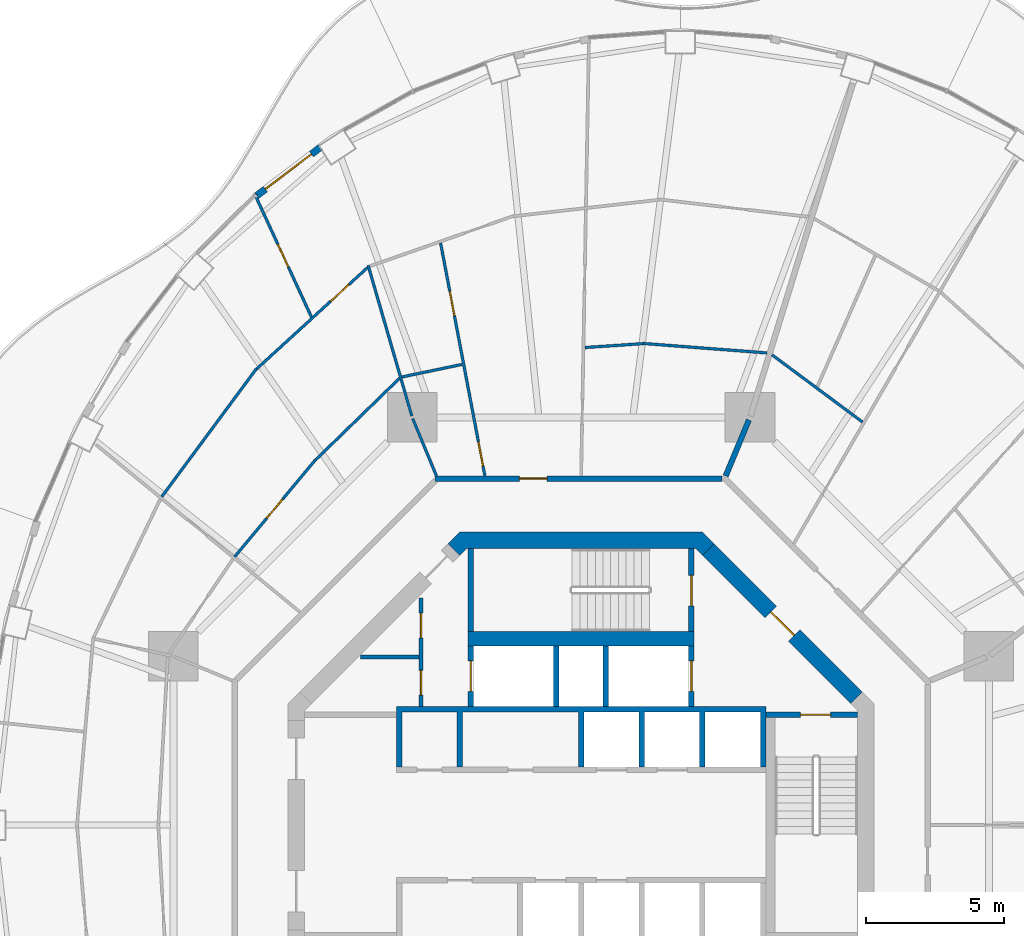
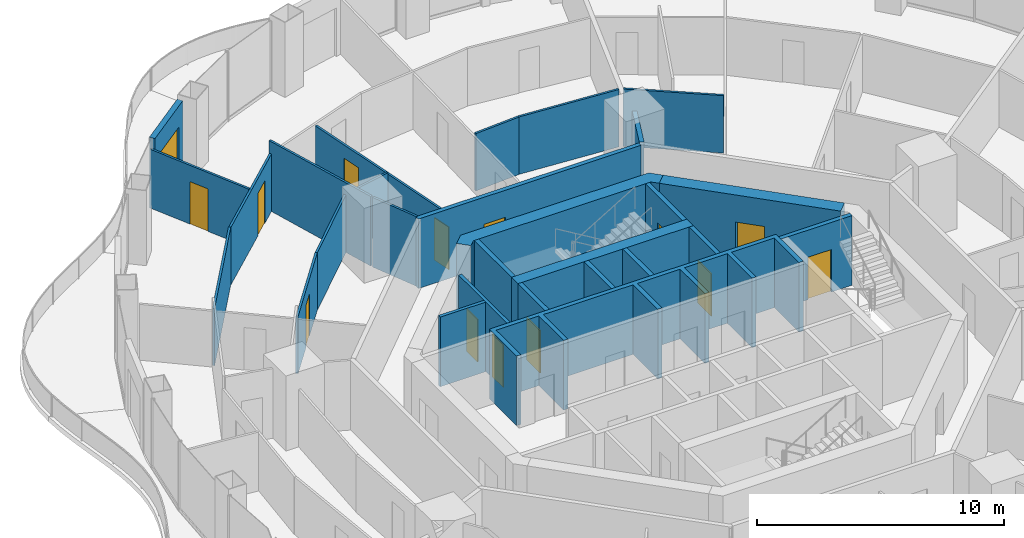
# One storey, part 14 of 19: 28 walls, 14 doors, 14 openings.
"""IFC4 building model written with IfcOpenShell, lengths in metres."""

import ifcopenshell
import ifcopenshell.guid

model = None  # the IFC model being written
_history = None  # IfcOwnerHistory: only IFC2X3 demands one
_inside = {}  # id of a spatial element -> (the spatial element, [elements in it])
_under = {}  # id of a project, library or spatial element -> (it, [spatial elements below it])
_declared = {}  # id of a project -> (the project, [libraries it declares])
_typed = {}  # id of a type object -> (the type object, [elements of that type])
_made_of = {}  # id of a material, layer set ... -> (it, [elements and type objects made of it])


def new_model(schema):
    """Start an empty IFC model of exactly this schema.

    Asked for "IFC4X3", IfcOpenShell would pick the latest addendum, in which some entities
    have other attributes; the version numbers below select the first issue.
    IFC2X3 requires an IfcOwnerHistory on every rooted entity: one is made here for all.
    """
    global model, _history
    if schema == "IFC4X3":
        model = ifcopenshell.file(schema_version=(4, 3, 0, 0))
    else:
        model = ifcopenshell.file(schema=schema)
    _inside.clear()
    _under.clear()
    _declared.clear()
    _typed.clear()
    _made_of.clear()
    _history = None
    if model.schema == "IFC2X3":
        org = make("IfcOrganization", Name="unknown")
        user = make(
            "IfcPersonAndOrganization",
            ThePerson=make("IfcPerson", FamilyName="unknown"),
            TheOrganization=org,
        )
        app = make(
            "IfcApplication",
            ApplicationDeveloper=org,
            Version="unknown",
            ApplicationFullName="unknown",
            ApplicationIdentifier="unknown",
        )
        _history = make(
            "IfcOwnerHistory",
            OwningUser=user,
            OwningApplication=app,
            ChangeAction="ADDED",
            CreationDate=0,
        )
    return model


def make(cls, **values):
    """One entity of the class cls with the attributes given. An attribute that is None is left unset."""
    return model.create_entity(
        cls, **{name: value for name, value in values.items() if value is not None}
    )


def rooted(cls, **values):
    """An entity with a GlobalId (a new one), such as an element, a storey or a relation."""
    return make(cls, GlobalId=ifcopenshell.guid.new(), OwnerHistory=_history, **values)


def si_unit(unit_type, name, prefix=None):
    """IfcSIUnit, for example si_unit("LENGTHUNIT", "METRE", prefix="MILLI")."""
    return make("IfcSIUnit", UnitType=unit_type, Prefix=prefix, Name=name)


def assignment(units):
    """IfcUnitAssignment: the units of a project."""
    return None if units is None else make("IfcUnitAssignment", Units=units)


def point(xyz):
    """IfcCartesianPoint."""
    return None if xyz is None else make("IfcCartesianPoint", Coordinates=xyz)


def direction(xyz):
    """IfcDirection."""
    return None if xyz is None else make("IfcDirection", DirectionRatios=xyz)


def frame(location, z_axis=None, x_axis=None):
    """IfcAxis2Placement3D, a coordinate frame: its origin and axes. An axis left out is left unset."""
    return make(
        "IfcAxis2Placement3D",
        Location=point(location),
        Axis=direction(z_axis),
        RefDirection=direction(x_axis),
    )


def frame_2d(location, x_axis=None):
    """IfcAxis2Placement2D, a coordinate frame in the plane: its origin and x axis."""
    return make(
        "IfcAxis2Placement2D", Location=point(location), RefDirection=direction(x_axis)
    )


def origin():
    """The frame at (0, 0, 0) with its axes left unset."""
    return frame((0.0, 0.0, 0.0))


def place(relative_to, where):
    """IfcLocalPlacement: puts the frame where relative to a parent placement (None: the world)."""
    return make(
        "IfcLocalPlacement", PlacementRelTo=relative_to, RelativePlacement=where
    )


def context(
    kind, dimensions, precision=None, world=None, true_north=None, identifier=None
):
    """IfcGeometricRepresentationContext, for example the 3D "Model" context."""
    return make(
        "IfcGeometricRepresentationContext",
        ContextIdentifier=identifier,
        ContextType=kind,
        CoordinateSpaceDimension=dimensions,
        Precision=precision,
        WorldCoordinateSystem=world,
        TrueNorth=true_north,
    )


def subcontext(parent, identifier, kind, view, scale=None):
    """IfcGeometricRepresentationSubContext, for example "Body" below "Model"."""
    return make(
        "IfcGeometricRepresentationSubContext",
        ContextIdentifier=identifier,
        ContextType=kind,
        ParentContext=parent,
        TargetScale=scale,
        TargetView=view,
    )


def project(units=None, contexts=None):
    """IfcProject with its units and contexts."""
    return rooted(
        "IfcProject",
        Name="project",
        RepresentationContexts=contexts,
        UnitsInContext=assignment(units),
    )


def spatial(cls, under=None, at=None, **own):
    """A site, building, storey or space (cls), placed at a placement, below another one or the project."""
    s = rooted(cls, ObjectPlacement=at, **own)
    if under is not None:
        _under.setdefault(under.id(), (under, []))[1].append(s)
    return s


def polyline(points):
    """IfcPolyline through the points."""
    return make("IfcPolyline", Points=[point(p) for p in points])


def profile(cls, at=None, kind="AREA", **sizes):
    """A parametric profile (cls). Its sizes go by their IFC names, for example OverallWidth=200.0."""
    return make(cls, ProfileType=kind, Position=at, **sizes)


def rectangle(**sizes):
    """IfcRectangleProfileDef."""
    return profile("IfcRectangleProfileDef", **sizes)


def outline(outer, holes=None, kind="AREA"):
    """IfcArbitraryClosedProfileDef: a profile drawn as a closed curve; with holes, ...WithVoids."""
    if holes is None:
        return make("IfcArbitraryClosedProfileDef", ProfileType=kind, OuterCurve=outer)
    return make(
        "IfcArbitraryProfileDefWithVoids",
        ProfileType=kind,
        OuterCurve=outer,
        InnerCurves=holes,
    )


def extrude(swept, where, along, depth):
    """IfcExtrudedAreaSolid: the profile swept, set in the frame where, extruded along a direction by depth."""
    return make(
        "IfcExtrudedAreaSolid",
        SweptArea=swept,
        Position=where,
        ExtrudedDirection=direction(along),
        Depth=depth,
    )


def shape(context_of_items, identifier, shape_type, items):
    """IfcShapeRepresentation: the items that make up one representation, for example the "Body"."""
    return make(
        "IfcShapeRepresentation",
        ContextOfItems=context_of_items,
        RepresentationIdentifier=identifier,
        RepresentationType=shape_type,
        Items=items,
    )


def material(Name=None, Category=None):
    """IfcMaterial."""
    return make("IfcMaterial", Name=Name, Category=Category)


def layer(
    of_material, thickness, ventilated=None, Name=None, Category=None, Priority=None
):
    """IfcMaterialLayer: one layer of a wall or slab, of a material (None: an air gap)."""
    return make(
        "IfcMaterialLayer",
        Material=of_material,
        LayerThickness=thickness,
        IsVentilated=ventilated,
        Name=Name,
        Category=Category,
        Priority=Priority,
    )


def layer_set(layers, Name=None):
    """IfcMaterialLayerSet."""
    return make("IfcMaterialLayerSet", MaterialLayers=layers, LayerSetName=Name)


def made_of(thing, what):
    """Note that an element or type object is made of a material, layer set ...; save() writes the relation."""
    if what is not None:
        _made_of.setdefault(what.id(), (what, []))[1].append(thing)
    return thing


def type_object(cls, material=None, **own):
    """A type object (cls), such as IfcWallType, which elements share."""
    return made_of(rooted(cls, **own), material)


def element(
    cls,
    number,
    at=None,
    inside=None,
    cuts=None,
    type_object=None,
    material=None,
    context=None,
    identifier="Body",
    shape_type=None,
    held_by="IfcProductDefinitionShape",
    body=None,
    shapes=None,
    **own,
):
    """One element of the class cls, such as IfcWall. Its Tag is "e" and its number.

    at: its placement. inside: the storey or other place that contains it. cuts: it is an
    opening in that element (IfcRelVoidsElement). A single representation is given by context,
    identifier, shape_type and body (its items); several are given by shapes. held_by: the class
    of the entity that holds the representations. save() writes the other relations.
    """
    e = rooted(cls, Tag="e%d" % number, ObjectPlacement=at, **own)
    if body is not None:
        shapes = [shape(context, identifier, shape_type, body)]
    if shapes is not None:
        e.Representation = make(held_by, Representations=shapes)
    if inside is not None:
        _inside.setdefault(inside.id(), (inside, []))[1].append(e)
    if cuts is not None:
        rooted(
            "IfcRelVoidsElement", RelatingBuildingElement=cuts, RelatedOpeningElement=e
        )
    if type_object is not None:
        _typed.setdefault(type_object.id(), (type_object, []))[1].append(e)
    return made_of(e, material)


def fill(opening, filler):
    """IfcRelFillsElement: the door or window that sits in an opening."""
    return rooted(
        "IfcRelFillsElement",
        RelatingOpeningElement=opening,
        RelatedBuildingElement=filler,
    )


def aggregate(whole, parts):
    """IfcRelAggregates: a whole, such as a stair, and the parts it consists of."""
    return rooted("IfcRelAggregates", RelatingObject=whole, RelatedObjects=parts)


def save(model, path):
    """Write the relations noted so far, then the file.

    IfcRelAggregates (storeys below a building ...), IfcRelContainedInSpatialStructure (elements
    in a storey), IfcRelDefinesByType, IfcRelAssociatesMaterial and IfcRelDeclares: one each for
    every whole, place, type object, material and project.
    """
    for whole, parts in _under.values():
        aggregate(whole, parts)
    for where, things in _inside.values():
        rooted(
            "IfcRelContainedInSpatialStructure",
            RelatedElements=things,
            RelatingStructure=where,
        )
    for kind, things in _typed.values():
        rooted("IfcRelDefinesByType", RelatedObjects=things, RelatingType=kind)
    for what, things in _made_of.values():
        rooted("IfcRelAssociatesMaterial", RelatedObjects=things, RelatingMaterial=what)
    for by, libraries in _declared.values():
        rooted("IfcRelDeclares", RelatingContext=by, RelatedDefinitions=libraries)
    model.write(path)


model = new_model("IFC4")

# Units and contexts
model_context = context("Model", 3, precision=1e-05, world=origin(), true_north=direction((0.0, 1.0)))
body_context = subcontext(model_context, "Body", "Model", "MODEL_VIEW")
ifc_project = project(units=[si_unit("LENGTHUNIT", "METRE"), si_unit("AREAUNIT", "SQUARE_METRE"), si_unit("VOLUMEUNIT", "CUBIC_METRE"), si_unit("PLANEANGLEUNIT", "RADIAN"), si_unit("MASSUNIT", "GRAM", prefix="KILO")], contexts=[model_context])

# Site, building, storey
site_placement = place(None, origin())
site = spatial("IfcSite", under=ifc_project, at=site_placement, CompositionType="ELEMENT")
building_placement = place(site_placement, origin())
building = spatial("IfcBuilding", under=site, at=building_placement, Name="Nagisa Residences", CompositionType="ELEMENT")
storey_placement = place(building_placement, frame((0.0, 0.0, 177.0)))
storey = spatial("IfcBuildingStorey", under=building, at=storey_placement, Name="L44", CompositionType="ELEMENT", Elevation=177.0)

# Wall
ifc_material_1 = material(Name="Gypsum board on steel studs", Category="steel")
ifc_layer_1 = layer(ifc_material_1, 0.199951171875)
ifc_layer_set_1 = layer_set([ifc_layer_1], Name="Apartment compartment wall EI60 200")
wall_type_1 = type_object("IfcWallType", Name="Apartment compartment wall EI60 200", PredefinedType="PARTITIONING", material=ifc_layer_set_1)
wall_1_placement = place(storey_placement, frame((5.24267578125, 12.6572265625, 0.0), z_axis=(0.0, 0.0, 1.0), x_axis=(0.382747093259, 0.923853160736, 0.0)))
element("IfcWall", 1, at=wall_1_placement, inside=storey, type_object=wall_type_1, Name="wall:L44:u02", PredefinedType="PARTITIONING", context=body_context, shape_type="SweptSolid", body=[
    extrude(rectangle(XDim=2.199951171875, YDim=0.199951171875, at=frame_2d((1.10009765625, 0.0))), origin(), (0.0, 0.0, 1.0), 3.43994140625),
])

# Wall, opening, door
ifc_material_2 = material(Name="Gypsum board on steel studs", Category="steel")
ifc_layer_2 = layer(ifc_material_2, 0.199951171875)
ifc_layer_set_2 = layer_set([ifc_layer_2], Name="Apartment entry wall EI60 200")
wall_type_2 = type_object("IfcWallType", Name="Apartment entry wall EI60 200", PredefinedType="PARTITIONING", material=ifc_layer_set_2)
wall_2_placement = place(storey_placement, frame((5.1044921875, 12.564697265625, 0.0), z_axis=(0.0, 0.0, 1.0), x_axis=(-1.0, 0.0, 0.0)))
wall_2 = element("IfcWall", 2, at=wall_2_placement, inside=storey, type_object=wall_type_2, Name="wall:L44:u10", PredefinedType="PARTITIONING", context=body_context, shape_type="SweptSolid", body=[
    extrude(rectangle(XDim=10.408935546875, YDim=0.199951171875, at=frame_2d((5.20458984375, 0.0))), origin(), (0.0, 0.0, 1.0), 3.43994140625),
])
opening_1_placement = place(wall_2_placement, frame((6.33935546875, 0.0, 0.0)))
opening_1 = element("IfcOpeningElement", 3, at=opening_1_placement, cuts=wall_2, Name="Opening L44-U01", PredefinedType="OPENING", context=body_context, shape_type="SweptSolid", body=[
    extrude(rectangle(XDim=1.0, YDim=2.10009765625, at=frame_2d((0.5, 1.050048828125))), frame((0.0, 0.10986328125, 0.0), z_axis=(0.0, -1.0, 0.0), x_axis=(1.0, 0.0, 0.0)), (0.0, 0.0, 1.0), 0.219970703125),
])
ifc_material_3 = material(Name="Timber fire door set", Category="wood")
door_type_1 = type_object("IfcDoorType", Name="Apartment entry door FD30S 1000x2100", OperationType="NOTDEFINED", PredefinedType="DOOR", material=ifc_material_3)
door_1_placement = place(opening_1_placement, frame((1.0, 0.0, 0.0), x_axis=(-1.0, 0.0, 0.0)))
door_1 = element("IfcDoor", 4, at=door_1_placement, inside=storey, type_object=door_type_1, Name="Entry door, Apartment 44A", OperationType="SINGLE_SWING_RIGHT", OverallHeight=2.10009765625, OverallWidth=1.0, PredefinedType="DOOR", context=body_context, shape_type="SweptSolid", body=[
    extrude(rectangle(XDim=1.0, YDim=2.10009765625, at=frame_2d((0.5, 1.050048828125))), frame((0.0, 0.02490234375, 0.0), z_axis=(0.0, -1.0, 0.0), x_axis=(1.0, 0.0, 0.0)), (0.0, 0.0, 1.0), 0.050048828125),
])
fill(opening_1, door_1)

# Walls
ifc_material_4 = material(Name="Gypsum board on steel studs", Category="steel")
ifc_layer_3 = layer(ifc_material_4, 0.10009765625)
ifc_layer_set_3 = layer_set([ifc_layer_3], Name="Apartment partition 100")
wall_type_3 = type_object("IfcWallType", Name="Apartment partition 100", PredefinedType="PARTITIONING", material=ifc_layer_set_3)
wall_3_placement = place(storey_placement, frame((10.20654296875, 14.609619140625, 0.0), z_axis=(0.0, 0.0, 1.0), x_axis=(-0.802769141821, 0.596289950394, 0.0)))
element("IfcWall", 5, at=wall_3_placement, inside=storey, type_object=wall_type_3, Name="wall:L44:u28", PredefinedType="PARTITIONING", context=body_context, shape_type="SweptSolid", body=[
    extrude(rectangle(XDim=4.09228515625, YDim=0.10009765625, at=frame_2d((2.046142578125, 0.0))), origin(), (0.0, 0.0, 1.0), 2.8369140625),
])
wall_4_placement = place(storey_placement, frame((6.7412109375, 17.1171875, 0.0), z_axis=(0.0, 0.0, 1.0), x_axis=(-0.997078320723, 0.076386008825, 0.0)))
element("IfcWall", 6, at=wall_4_placement, inside=storey, type_object=wall_type_3, Name="wall:L44:u31", PredefinedType="PARTITIONING", context=body_context, shape_type="SweptSolid", body=[
    extrude(rectangle(XDim=4.509765625, YDim=0.10009765625, at=frame_2d((2.2548828125, 0.0))), origin(), (0.0, 0.0, 1.0), 2.8369140625),
])
wall_5_placement = place(storey_placement, frame((2.244384765625, 17.45458984375, 0.0), z_axis=(0.0, 0.0, 1.0), x_axis=(-0.997756833447, -0.06694252243, 0.0)))
element("IfcWall", 7, at=wall_5_placement, inside=storey, type_object=wall_type_3, Name="wall:L44:u33", PredefinedType="PARTITIONING", context=body_context, shape_type="SweptSolid", body=[
    extrude(rectangle(XDim=2.104248046875, YDim=0.10009765625, at=frame_2d((1.05224609375, 0.0))), origin(), (0.0, 0.0, 1.0), 2.8369140625),
])

# Wall, openings, doors
wall_6_placement = place(storey_placement, frame((-3.48828125, 12.6630859375, 0.0), z_axis=(0.0, 0.0, 1.0), x_axis=(-0.186783185485, 0.982401161247, 0.0)))
wall_6 = element("IfcWall", 8, at=wall_6_placement, inside=storey, type_object=wall_type_3, Name="wall:L44:u37", PredefinedType="PARTITIONING", context=body_context, shape_type="SweptSolid", body=[
    extrude(rectangle(XDim=8.595458984375, YDim=0.10009765625, at=frame_2d((4.2978515625, 0.0))), origin(), (0.0, 0.0, 1.0), 2.756103515625),
])
opening_2_placement = place(wall_6_placement, frame((0.35009765625, 0.0, 0.0)))
opening_2 = element("IfcOpeningElement", 9, at=opening_2_placement, cuts=wall_6, Name="Opening L44-U03", PredefinedType="OPENING", context=body_context, shape_type="SweptSolid", body=[
    extrude(rectangle(XDim=0.89990234375, YDim=2.10009765625, at=frame_2d((0.449951171875, 1.050048828125))), frame((0.0, 0.06005859375, 0.0), z_axis=(0.0, -1.0, 0.0), x_axis=(1.0, 0.0, 0.0)), (0.0, 0.0, 1.0), 0.1201171875),
])
opening_3_placement = place(wall_6_placement, frame((5.908447265625, 0.0, 0.0)))
opening_3 = element("IfcOpeningElement", 10, at=opening_3_placement, cuts=wall_6, Name="Opening L44-U05", PredefinedType="OPENING", context=body_context, shape_type="SweptSolid", body=[
    extrude(rectangle(XDim=0.89990234375, YDim=2.10009765625, at=frame_2d((0.449951171875, 1.050048828125))), frame((0.0, 0.06005859375, 0.0), z_axis=(0.0, -1.0, 0.0), x_axis=(1.0, 0.0, 0.0)), (0.0, 0.0, 1.0), 0.1201171875),
])
ifc_material_5 = material(Name="Timber door set", Category="wood")
door_type_2 = type_object("IfcDoorType", Name="Apartment door 900x2100", OperationType="NOTDEFINED", PredefinedType="DOOR", material=ifc_material_5)
door_2_placement = place(opening_2_placement, origin())
door_2 = element("IfcDoor", 11, at=door_2_placement, inside=storey, type_object=door_type_2, Name="Door to family bathroom, Apartment 44A", OperationType="SINGLE_SWING_LEFT", OverallHeight=2.10009765625, OverallWidth=0.89990234375, PredefinedType="DOOR", context=body_context, shape_type="SweptSolid", body=[
    extrude(rectangle(XDim=0.89990234375, YDim=2.10009765625, at=frame_2d((0.449951171875, 1.050048828125))), frame((0.0, 0.02490234375, 0.0), z_axis=(0.0, -1.0, 0.0), x_axis=(1.0, 0.0, 0.0)), (0.0, 0.0, 1.0), 0.050048828125),
])
fill(opening_2, door_2)
door_3_placement = place(opening_3_placement, origin())
door_3 = element("IfcDoor", 12, at=door_3_placement, inside=storey, type_object=door_type_2, Name="Door to family bathroom, Apartment 44A", OperationType="SINGLE_SWING_LEFT", OverallHeight=2.10009765625, OverallWidth=0.89990234375, PredefinedType="DOOR", context=body_context, shape_type="SweptSolid", body=[
    extrude(rectangle(XDim=0.89990234375, YDim=2.10009765625, at=frame_2d((0.449951171875, 1.050048828125))), frame((0.0, 0.02490234375, 0.0), z_axis=(0.0, -1.0, 0.0), x_axis=(1.0, 0.0, 0.0)), (0.0, 0.0, 1.0), 0.050048828125),
])
fill(opening_3, door_3)

# Walls
wall_7_placement = place(storey_placement, frame((-4.324462890625, 16.69921875, 0.0), z_axis=(0.0, 0.0, 1.0), x_axis=(-0.978908011866, -0.204301503432, 0.0)))
element("IfcWall", 13, at=wall_7_placement, inside=storey, type_object=wall_type_3, Name="wall:L44:u38", PredefinedType="PARTITIONING", context=body_context, shape_type="SweptSolid", body=[
    extrude(rectangle(XDim=2.218017578125, YDim=0.10009765625, at=frame_2d((1.10888671875, 0.0))), origin(), (0.0, 0.0, 1.0), 2.8369140625),
])
wall_8_placement = place(storey_placement, frame((-5.24267578125, 12.6572265625, 0.0), z_axis=(0.0, 0.0, 1.0), x_axis=(-0.382719158442, 0.923864733477, 0.0)))
element("IfcWall", 14, at=wall_8_placement, inside=storey, type_object=wall_type_3, Name="wall:L44:u39", PredefinedType="PARTITIONING", context=body_context, shape_type="SweptSolid", body=[
    extrude(rectangle(XDim=2.25, YDim=0.10009765625, at=frame_2d((1.125, 0.0))), origin(), (0.0, 0.0, 1.0), 3.43994140625),
])
wall_9_placement = place(storey_placement, frame((-6.136962890625, 14.830078125, 0.0), z_axis=(0.0, 0.0, 1.0), x_axis=(-0.278471793245, 0.960444407744, 0.0)))
element("IfcWall", 15, at=wall_9_placement, inside=storey, type_object=wall_type_3, Name="wall:L44:u40", PredefinedType="PARTITIONING", context=body_context, shape_type="SweptSolid", body=[
    extrude(rectangle(XDim=5.688232421875, YDim=0.10009765625, at=frame_2d((2.84423828125, 0.0))), origin(), (0.0, 0.0, 1.0), 3.43994140625),
])
wall_10_placement = place(storey_placement, frame((-6.580322265625, 16.200927734375, 0.0), z_axis=(0.0, 0.0, 1.0), x_axis=(-0.716946269374, -0.697128429223, 0.0)))
element("IfcWall", 16, at=wall_10_placement, inside=storey, type_object=wall_type_3, Name="wall:L44:u41", PredefinedType="PARTITIONING", context=body_context, shape_type="SweptSolid", body=[
    extrude(rectangle(XDim=4.250244140625, YDim=0.10009765625, at=frame_2d((2.125, 0.0))), origin(), (0.0, 0.0, 1.0), 2.8369140625),
])

# Wall, opening, door
wall_11_placement = place(storey_placement, frame((-7.743896484375, 20.211669921875, 0.0), z_axis=(0.0, 0.0, 1.0), x_axis=(-0.738051761282, -0.674744097913, 0.0)))
wall_11 = element("IfcWall", 17, at=wall_11_placement, inside=storey, type_object=wall_type_3, Name="wall:L44:u42", PredefinedType="PARTITIONING", context=body_context, shape_type="SweptSolid", body=[
    extrude(rectangle(XDim=5.44921875, YDim=0.10009765625, at=frame_2d((2.724609375, 0.0))), origin(), (0.0, 0.0, 1.0), 2.8369140625),
])
opening_4_placement = place(wall_11_placement, frame((0.912109375, 0.0, 0.0)))
opening_4 = element("IfcOpeningElement", 18, at=opening_4_placement, cuts=wall_11, Name="Opening L44-U09", PredefinedType="OPENING", context=body_context, shape_type="SweptSolid", body=[
    extrude(rectangle(XDim=0.89990234375, YDim=2.10009765625, at=frame_2d((0.449951171875, 1.050048828125))), frame((0.0, 0.06005859375, 0.0), z_axis=(0.0, -1.0, 0.0), x_axis=(1.0, 0.0, 0.0)), (0.0, 0.0, 1.0), 0.1201171875),
])
door_4_placement = place(opening_4_placement, origin())
door_4 = element("IfcDoor", 19, at=door_4_placement, inside=storey, type_object=door_type_2, Name="Door to kitchen, Apartment 44A", OperationType="SINGLE_SWING_LEFT", OverallHeight=2.10009765625, OverallWidth=0.89990234375, PredefinedType="DOOR", context=body_context, shape_type="SweptSolid", body=[
    extrude(rectangle(XDim=0.89990234375, YDim=2.10009765625, at=frame_2d((0.449951171875, 1.050048828125))), frame((0.0, 0.02490234375, 0.0), z_axis=(0.0, -1.0, 0.0), x_axis=(1.0, 0.0, 0.0)), (0.0, 0.0, 1.0), 0.050048828125),
])
fill(opening_4, door_4)

wall_12_placement = place(storey_placement, frame((-9.775634765625, 18.418701171875, 0.0), z_axis=(0.0, 0.0, 1.0), x_axis=(-0.418998197727, 0.907987065052, 0.0)))
wall_12 = element("IfcWall", 20, at=wall_12_placement, inside=storey, type_object=wall_type_3, Name="wall:L44:u43", PredefinedType="PARTITIONING", context=body_context, shape_type="SweptSolid", body=[
    extrude(rectangle(XDim=4.904296875, YDim=0.10009765625, at=frame_2d((2.4521484375, 0.0))), origin(), (0.0, 0.0, 1.0), 2.905029296875),
])
opening_5_placement = place(wall_12_placement, frame((2.002197265625, 0.0, 0.0)))
opening_5 = element("IfcOpeningElement", 21, at=opening_5_placement, cuts=wall_12, Name="Opening L44-U08", PredefinedType="OPENING", context=body_context, shape_type="SweptSolid", body=[
    extrude(rectangle(XDim=0.89990234375, YDim=2.10009765625, at=frame_2d((0.449951171875, 1.050048828125))), frame((0.0, 0.06005859375, 0.0), z_axis=(0.0, -1.0, 0.0), x_axis=(1.0, 0.0, 0.0)), (0.0, 0.0, 1.0), 0.1201171875),
])
door_5_placement = place(opening_5_placement, origin())
door_5 = element("IfcDoor", 22, at=door_5_placement, inside=storey, type_object=door_type_2, Name="Door to master bedroom, Apartment 44A", OperationType="SINGLE_SWING_RIGHT", OverallHeight=2.10009765625, OverallWidth=0.89990234375, PredefinedType="DOOR", context=body_context, shape_type="SweptSolid", body=[
    extrude(rectangle(XDim=0.89990234375, YDim=2.10009765625, at=frame_2d((0.449951171875, 1.050048828125))), frame((0.0, 0.02490234375, 0.0), z_axis=(0.0, -1.0, 0.0), x_axis=(1.0, 0.0, 0.0)), (0.0, 0.0, 1.0), 0.050048828125),
])
fill(opening_5, door_5)

wall_13_placement = place(storey_placement, frame((-9.63134765625, 13.24169921875, 0.0), z_axis=(0.0, 0.0, 1.0), x_axis=(-0.640315711982, -0.768111833647, 0.0)))
wall_13 = element("IfcWall", 23, at=wall_13_placement, inside=storey, type_object=wall_type_3, Name="wall:L44:u44", PredefinedType="PARTITIONING", context=body_context, shape_type="SweptSolid", body=[
    extrude(rectangle(XDim=4.571533203125, YDim=0.10009765625, at=frame_2d((2.28564453125, 0.0))), origin(), (0.0, 0.0, 1.0), 2.8369140625),
])
opening_6_placement = place(wall_13_placement, frame((1.86083984375, 0.0, 0.0)))
opening_6 = element("IfcOpeningElement", 24, at=opening_6_placement, cuts=wall_13, Name="Opening L44-U14", PredefinedType="OPENING", context=body_context, shape_type="SweptSolid", body=[
    extrude(rectangle(XDim=0.89990234375, YDim=2.10009765625, at=frame_2d((0.449951171875, 1.050048828125))), frame((0.0, 0.06005859375, 0.0), z_axis=(0.0, -1.0, 0.0), x_axis=(1.0, 0.0, 0.0)), (0.0, 0.0, 1.0), 0.1201171875),
])
door_6_placement = place(opening_6_placement, origin())
door_6 = element("IfcDoor", 25, at=door_6_placement, inside=storey, type_object=door_type_2, Name="Door to store, Apartment 44A", OperationType="SINGLE_SWING_RIGHT", OverallHeight=2.10009765625, OverallWidth=0.89990234375, PredefinedType="DOOR", context=body_context, shape_type="SweptSolid", body=[
    extrude(rectangle(XDim=0.89990234375, YDim=2.10009765625, at=frame_2d((0.449951171875, 1.050048828125))), frame((0.0, 0.02490234375, 0.0), z_axis=(0.0, -1.0, 0.0), x_axis=(1.0, 0.0, 0.0)), (0.0, 0.0, 1.0), 0.050048828125),
])
fill(opening_6, door_6)

# Wall
wall_14_placement = place(storey_placement, frame((-11.77294921875, 16.54150390625, 0.0), z_axis=(0.0, 0.0, 1.0), x_axis=(-0.594694305999, -0.803951915485, 0.0)))
element("IfcWall", 26, at=wall_14_placement, inside=storey, type_object=wall_type_3, Name="wall:L44:u45", PredefinedType="PARTITIONING", context=body_context, shape_type="SweptSolid", body=[
    extrude(rectangle(XDim=5.771728515625, YDim=0.10009765625, at=frame_2d((2.8857421875, 0.0))), origin(), (0.0, 0.0, 1.0), 2.8369140625),
])

# Wall, opening, door
ifc_material_6 = material(Name="Precast concrete C40/50", Category="concrete")
ifc_layer_4 = layer(ifc_material_6, 0.25)
ifc_layer_set_4 = layer_set([ifc_layer_4], Name="BALCONY DOOR WALL 250")
wall_type_4 = type_object("IfcWallType", Name="BALCONY DOOR WALL 250", PredefinedType="SOLIDWALL", material=ifc_layer_set_4)
wall_15_placement = place(storey_placement, frame((-11.771728515625, 22.80859375, 0.0), z_axis=(0.0, 0.0, 1.0), x_axis=(0.796055733703, 0.60522332146, 0.0)))
wall_15 = element("IfcWall", 27, at=wall_15_placement, inside=storey, type_object=wall_type_4, Name="wall:L44:bay16", PredefinedType="SOLIDWALL", context=body_context, shape_type="SweptSolid", body=[
    extrude(rectangle(XDim=2.9169921875, YDim=0.25, at=frame_2d((1.45849609375, 0.0))), origin(), (0.0, 0.0, 1.0), 3.43994140625),
])
opening_7_placement = place(wall_15_placement, frame((0.408447265625, 0.0, 0.0)))
opening_7 = element("IfcOpeningElement", 28, at=opening_7_placement, cuts=wall_15, Name="Opening BD-L44-06", PredefinedType="OPENING", context=body_context, shape_type="SweptSolid", body=[
    extrude(rectangle(XDim=2.10009765625, YDim=2.39990234375, at=frame_2d((1.050048828125, 1.199951171875))), frame((0.0, 0.135009765625, 0.0), z_axis=(0.0, -1.0, 0.0), x_axis=(1.0, 0.0, 0.0)), (0.0, 0.0, 1.0), 0.27001953125),
])
ifc_material_7 = material(Name="Aluminium and clear glass", Category="aluminium")
door_type_3 = type_object("IfcDoorType", Name="BALCONY SLIDING DOOR 2100x2400", OperationType="SLIDING_TO_LEFT", PredefinedType="DOOR", material=ifc_material_7)
door_7_placement = place(opening_7_placement, origin())
door_7 = element("IfcDoor", 29, at=door_7_placement, inside=storey, type_object=door_type_3, Name="door:L44:bay16", OperationType="SLIDING_TO_LEFT", OverallHeight=2.39990234375, OverallWidth=2.10009765625, PredefinedType="DOOR", context=body_context, shape_type="SweptSolid", body=[
    extrude(rectangle(XDim=2.10009765625, YDim=2.39990234375, at=frame_2d((1.050048828125, 1.199951171875))), frame((0.0, 0.02490234375, 0.0), z_axis=(0.0, -1.0, 0.0), x_axis=(1.0, 0.0, 0.0)), (0.0, 0.0, 1.0), 0.050048828125),
])
fill(opening_7, door_7)

# Wall, openings, doors
ifc_material_8 = material(Name="Gypsum board on steel studs", Category="steel")
ifc_layer_5 = layer(ifc_material_8, 0.14990234375)
ifc_layer_set_5 = layer_set([ifc_layer_5], Name="Core partition 150")
wall_type_5 = type_object("IfcWallType", Name="Core partition 150", PredefinedType="PARTITIONING", material=ifc_layer_set_5)
wall_16_placement = place(storey_placement, frame((-5.800048828125, 4.300048828125, 0.0), z_axis=(0.0, 0.0, 1.0), x_axis=(0.0, 1.0, 0.0)))
wall_16 = element("IfcWall", 30, at=wall_16_placement, inside=storey, type_object=wall_type_5, Name="wall:L44:NWp", PredefinedType="PARTITIONING", context=body_context, shape_type="SweptSolid", body=[
    extrude(rectangle(XDim=3.927001953125, YDim=0.14990234375, at=frame_2d((1.96337890625, 0.0))), origin(), (0.0, 0.0, 1.0), 3.43994140625),
])
opening_8_placement = place(wall_16_placement, frame((0.41259765625, 0.0, 0.0)))
opening_8 = element("IfcOpeningElement", 31, at=opening_8_placement, cuts=wall_16, Name="Opening L44-C11", PredefinedType="OPENING", context=body_context, shape_type="SweptSolid", body=[
    extrude(rectangle(XDim=0.89990234375, YDim=2.10009765625, at=frame_2d((0.449951171875, 1.050048828125))), frame((0.0, 0.0849609375, 0.0), z_axis=(0.0, -1.0, 0.0), x_axis=(1.0, 0.0, 0.0)), (0.0, 0.0, 1.0), 0.169921875),
])
opening_9_placement = place(wall_16_placement, frame((2.488525390625, 0.0, 0.0)))
opening_9 = element("IfcOpeningElement", 32, at=opening_9_placement, cuts=wall_16, Name="Opening L44-C12", PredefinedType="OPENING", context=body_context, shape_type="SweptSolid", body=[
    extrude(rectangle(XDim=0.89990234375, YDim=2.10009765625, at=frame_2d((0.449951171875, 1.050048828125))), frame((0.0, 0.0849609375, 0.0), z_axis=(0.0, -1.0, 0.0), x_axis=(1.0, 0.0, 0.0)), (0.0, 0.0, 1.0), 0.169921875),
])
ifc_material_9 = material(Name="Steel fire door", Category="steel")
door_type_4 = type_object("IfcDoorType", Name="Fire door EI30 900x2100 single swing", OperationType="NOTDEFINED", PredefinedType="DOOR", material=ifc_material_9)
door_8_placement = place(opening_8_placement, origin())
door_8 = element("IfcDoor", 33, at=door_8_placement, inside=storey, type_object=door_type_4, Name="Staff WC door L44", OperationType="SINGLE_SWING_LEFT", OverallHeight=2.10009765625, OverallWidth=0.89990234375, PredefinedType="DOOR", context=body_context, shape_type="SweptSolid", body=[
    extrude(rectangle(XDim=0.89990234375, YDim=2.10009765625, at=frame_2d((0.449951171875, 1.050048828125))), frame((0.0, 0.02490234375, 0.0), z_axis=(0.0, -1.0, 0.0), x_axis=(1.0, 0.0, 0.0)), (0.0, 0.0, 1.0), 0.050048828125),
])
fill(opening_8, door_8)
door_9_placement = place(opening_9_placement, origin())
door_9 = element("IfcDoor", 34, at=door_9_placement, inside=storey, type_object=door_type_4, Name="Janitor door L44", OperationType="SINGLE_SWING_LEFT", OverallHeight=2.10009765625, OverallWidth=0.89990234375, PredefinedType="DOOR", context=body_context, shape_type="SweptSolid", body=[
    extrude(rectangle(XDim=0.89990234375, YDim=2.10009765625, at=frame_2d((0.449951171875, 1.050048828125))), frame((0.0, 0.02490234375, 0.0), z_axis=(0.0, -1.0, 0.0), x_axis=(1.0, 0.0, 0.0)), (0.0, 0.0, 1.0), 0.050048828125),
])
fill(opening_9, door_9)

# Wall
wall_17_placement = place(storey_placement, frame((-8.0009765625, 6.10009765625, 0.0), z_axis=(0.0, 0.0, 1.0), x_axis=(1.0, 0.0, 0.0)))
element("IfcWall", 35, at=wall_17_placement, inside=storey, type_object=wall_type_5, Name="wall:L44:NWq", PredefinedType="PARTITIONING", context=body_context, shape_type="SweptSolid", body=[
    extrude(rectangle(XDim=2.1259765625, YDim=0.14990234375, at=frame_2d((1.06298828125, 0.0))), origin(), (0.0, 0.0, 1.0), 3.43994140625),
])

# Wall, opening, door
ifc_material_10 = material(Name="Concrete C60", Category="concrete")
ifc_layer_6 = layer(ifc_material_10, 0.60009765625)
ifc_layer_set_6 = layer_set([ifc_layer_6], Name="Core shear wall 600")
wall_type_6 = type_object("IfcWallType", Name="Core shear wall 600", PredefinedType="SHEAR", material=ifc_layer_set_6)
wall_18_placement = place(storey_placement, frame((9.98828125, 4.613037109375, 0.0), z_axis=(0.0, 0.0, 1.0), x_axis=(-0.707106781187, 0.707106781187, 0.0)))
wall_18 = element("IfcWall", 36, at=wall_18_placement, inside=storey, type_object=wall_type_6, Name="wall:L44:core:flat1", PredefinedType="SHEAR", context=body_context, shape_type="SweptSolid", body=[
    extrude(rectangle(XDim=7.601806640625, YDim=0.60009765625, at=frame_2d((3.80078125, 0.0))), origin(), (0.0, 0.0, 1.0), 3.43994140625),
])
opening_10_placement = place(wall_18_placement, frame((3.200927734375, 0.0, 0.0)))
opening_10 = element("IfcOpeningElement", 37, at=opening_10_placement, cuts=wall_18, Name="Opening L44-C18", PredefinedType="OPENING", context=body_context, shape_type="SweptSolid", body=[
    extrude(rectangle(XDim=1.199951171875, YDim=2.10009765625, at=frame_2d((0.60009765625, 1.050048828125))), frame((0.0, 0.31005859375, 0.0), z_axis=(0.0, -1.0, 0.0), x_axis=(1.0, 0.0, 0.0)), (0.0, 0.0, 1.0), 0.6201171875),
])
ifc_material_11 = material(Name="Steel fire door", Category="steel")
door_type_5 = type_object("IfcDoorType", Name="Fire door EI60 1200x2100 single swing", OperationType="NOTDEFINED", PredefinedType="DOOR", material=ifc_material_11)
door_10_placement = place(opening_10_placement, origin())
door_10 = element("IfcDoor", 38, at=door_10_placement, inside=storey, type_object=door_type_5, Name="Firefighting lobby 1 door L44", OperationType="SINGLE_SWING_LEFT", OverallHeight=2.10009765625, OverallWidth=1.199951171875, PredefinedType="DOOR", context=body_context, shape_type="SweptSolid", body=[
    extrude(rectangle(XDim=1.199951171875, YDim=2.10009765625, at=frame_2d((0.60009765625, 1.050048828125))), frame((0.0, 0.02490234375, 0.0), z_axis=(0.0, -1.0, 0.0), x_axis=(1.0, 0.0, 0.0)), (0.0, 0.0, 1.0), 0.050048828125),
])
fill(opening_10, door_10)

# Wall
wall_19_placement = place(storey_placement, origin())
element("IfcWall", 39, at=wall_19_placement, inside=storey, type_object=wall_type_6, Name="wall:L44:core:flat2", PredefinedType="SHEAR", context=body_context, shape_type="SweptSolid", body=[
    extrude(outline(polyline([(-4.15234375, 10.024658203125), (-4.40087890625, 9.776123046875), (-4.8251953125, 10.200439453125), (-4.40087890625, 10.62451171875), (4.40087890625, 10.62451171875), (4.8251953125, 10.200439453125), (4.40087890625, 9.776123046875), (4.15234375, 10.024658203125), (-4.15234375, 10.024658203125)])), origin(), (0.0, 0.0, 1.0), 3.43994140625),
])

# Wall, opening, door
ifc_material_12 = material(Name="Concrete C60", Category="concrete")
ifc_layer_7 = layer(ifc_material_12, 0.199951171875)
ifc_layer_set_7 = layer_set([ifc_layer_7], Name="Lift shaft wall 200")
wall_type_7 = type_object("IfcWallType", Name="Lift shaft wall 200", PredefinedType="SOLIDWALL", material=ifc_layer_set_7)
wall_20_placement = place(storey_placement, frame((4.0, 4.300048828125, 0.0), z_axis=(0.0, 0.0, 1.0), x_axis=(0.0, 1.0, 0.0)))
wall_20 = element("IfcWall", 40, at=wall_20_placement, inside=storey, type_object=wall_type_7, Name="wall:L44:Nb3", PredefinedType="SOLIDWALL", context=body_context, shape_type="SweptSolid", body=[
    extrude(rectangle(XDim=2.199951171875, YDim=0.199951171875, at=frame_2d((1.10009765625, 0.0))), origin(), (0.0, 0.0, 1.0), 3.43994140625),
])
opening_11_placement = place(wall_20_placement, frame((0.550048828125, 0.0, 0.0)))
opening_11 = element("IfcOpeningElement", 41, at=opening_11_placement, cuts=wall_20, Name="Opening L44-C05", PredefinedType="OPENING", context=body_context, shape_type="SweptSolid", body=[
    extrude(rectangle(XDim=1.10009765625, YDim=2.10009765625, at=frame_2d((0.550048828125, 1.050048828125))), frame((0.0, 0.10986328125, 0.0), z_axis=(0.0, -1.0, 0.0), x_axis=(1.0, 0.0, 0.0)), (0.0, 0.0, 1.0), 0.219970703125),
])
ifc_material_13 = material(Name="Stainless steel", Category="steel")
door_type_6 = type_object("IfcDoorType", Name="Lift landing door 1100x2100", OperationType="DOUBLE_DOOR_SLIDING", PredefinedType="DOOR", material=ifc_material_13)
door_11_placement = place(opening_11_placement, origin())
door_11 = element("IfcDoor", 42, at=door_11_placement, inside=storey, type_object=door_type_6, Name="Landing door FL1 L44", OperationType="DOUBLE_DOOR_SLIDING", OverallHeight=2.10009765625, OverallWidth=1.10009765625, PredefinedType="DOOR", context=body_context, shape_type="SweptSolid", body=[
    extrude(rectangle(XDim=1.10009765625, YDim=2.10009765625, at=frame_2d((0.550048828125, 1.050048828125))), frame((0.0, 0.02490234375, 0.0), z_axis=(0.0, -1.0, 0.0), x_axis=(1.0, 0.0, 0.0)), (0.0, 0.0, 1.0), 0.050048828125),
])
fill(opening_11, door_11)

wall_21_placement = place(storey_placement, frame((-4.0, 4.300048828125, 0.0), z_axis=(0.0, 0.0, 1.0), x_axis=(0.0, 1.0, 0.0)))
wall_21 = element("IfcWall", 43, at=wall_21_placement, inside=storey, type_object=wall_type_7, Name="wall:L44:Nb4", PredefinedType="SOLIDWALL", context=body_context, shape_type="SweptSolid", body=[
    extrude(rectangle(XDim=2.199951171875, YDim=0.199951171875, at=frame_2d((1.10009765625, 0.0))), origin(), (0.0, 0.0, 1.0), 3.43994140625),
])
opening_12_placement = place(wall_21_placement, frame((0.550048828125, 0.0, 0.0)))
opening_12 = element("IfcOpeningElement", 44, at=opening_12_placement, cuts=wall_21, Name="Opening L44-C07", PredefinedType="OPENING", context=body_context, shape_type="SweptSolid", body=[
    extrude(rectangle(XDim=1.10009765625, YDim=2.10009765625, at=frame_2d((0.550048828125, 1.050048828125))), frame((0.0, 0.10986328125, 0.0), z_axis=(0.0, -1.0, 0.0), x_axis=(1.0, 0.0, 0.0)), (0.0, 0.0, 1.0), 0.219970703125),
])
door_12_placement = place(opening_12_placement, origin())
door_12 = element("IfcDoor", 45, at=door_12_placement, inside=storey, type_object=door_type_6, Name="Landing door SV L44", OperationType="DOUBLE_DOOR_SLIDING", OverallHeight=2.10009765625, OverallWidth=1.10009765625, PredefinedType="DOOR", context=body_context, shape_type="SweptSolid", body=[
    extrude(rectangle(XDim=1.10009765625, YDim=2.10009765625, at=frame_2d((0.550048828125, 1.050048828125))), frame((0.0, 0.02490234375, 0.0), z_axis=(0.0, -1.0, 0.0), x_axis=(1.0, 0.0, 0.0)), (0.0, 0.0, 1.0), 0.050048828125),
])
fill(opening_12, door_12)

# Walls
for number, where, z_axis, x_axis, name in (
    (46, (-0.89990234375, 4.300048828125, 0.0), (0.0, 0.0, 1.0), (0.0, 1.0, 0.0), "wall:L44:Nb1"),
    (47, (0.89990234375, 4.300048828125, 0.0), (0.0, 0.0, 1.0), (0.0, 1.0, 0.0), "wall:L44:Nb2"),
):
    element("IfcWall", number, at=place(storey_placement, frame(where, z_axis=z_axis, x_axis=x_axis)), inside=storey, type_object=wall_type_7, Name=name, PredefinedType="SOLIDWALL", context=body_context, shape_type="SweptSolid", body=[
        extrude(rectangle(XDim=2.199951171875, YDim=0.199951171875, at=frame_2d((1.10009765625, 0.0))), origin(), (0.0, 0.0, 1.0), 3.43994140625),
    ])
wall_22_placement = place(storey_placement, origin())
element("IfcWall", 48, at=wall_22_placement, inside=storey, type_object=wall_type_7, Name="wall:L44:Nback", PredefinedType="SOLIDWALL", context=body_context, shape_type="SweptSolid", body=[
    extrude(outline(polyline([(-6.699951171875, 4.300048828125), (6.699951171875, 4.300048828125), (6.699951171875, 2.10009765625), (6.5, 2.10009765625), (6.5, 4.10009765625), (4.5, 4.10009765625), (4.5, 2.10009765625), (4.300048828125, 2.10009765625), (4.300048828125, 4.10009765625), (2.300048828125, 4.10009765625), (2.300048828125, 2.10009765625), (2.10009765625, 2.10009765625), (2.10009765625, 4.10009765625), (0.10009765625, 4.10009765625), (0.10009765625, 2.10009765625), (-0.10009765625, 2.10009765625), (-0.10009765625, 4.10009765625), (-4.300048828125, 4.10009765625), (-4.300048828125, 2.10009765625), (-4.5, 2.10009765625), (-4.5, 4.10009765625), (-6.5, 4.10009765625), (-6.5, 2.10009765625), (-6.699951171875, 2.10009765625), (-6.699951171875, 4.300048828125)])), origin(), (0.0, 0.0, 1.0), 3.43994140625),
])

# Wall, opening, door
ifc_material_14 = material(Name="Concrete C60", Category="concrete")
ifc_layer_8 = layer(ifc_material_14, 0.199951171875)
ifc_layer_set_8 = layer_set([ifc_layer_8], Name="Stair enclosure wall 200")
wall_type_8 = type_object("IfcWallType", Name="Stair enclosure wall 200", PredefinedType="SOLIDWALL", material=ifc_layer_set_8)
wall_23_placement = place(storey_placement, frame((6.699951171875, 4.0, 0.0), z_axis=(0.0, 0.0, 1.0), x_axis=(1.0, 0.0, 0.0)))
wall_23 = element("IfcWall", 49, at=wall_23_placement, inside=storey, type_object=wall_type_8, Name="wall:L44:SE_n", PredefinedType="SOLIDWALL", context=body_context, shape_type="SweptSolid", body=[
    extrude(rectangle(XDim=3.32470703125, YDim=0.199951171875, at=frame_2d((1.662353515625, 0.0))), origin(), (0.0, 0.0, 1.0), 3.43994140625),
])
opening_13_placement = place(wall_23_placement, frame((1.25, 0.0, 0.0)))
opening_13 = element("IfcOpeningElement", 50, at=opening_13_placement, cuts=wall_23, Name="Opening L44-C08", PredefinedType="OPENING", context=body_context, shape_type="SweptSolid", body=[
    extrude(rectangle(XDim=1.10009765625, YDim=2.10009765625, at=frame_2d((0.550048828125, 1.050048828125))), frame((0.0, 0.10986328125, 0.0), z_axis=(0.0, -1.0, 0.0), x_axis=(1.0, 0.0, 0.0)), (0.0, 0.0, 1.0), 0.219970703125),
])
ifc_material_15 = material(Name="Steel fire door", Category="steel")
door_type_7 = type_object("IfcDoorType", Name="Fire door EI90 1100x2100 single swing", OperationType="NOTDEFINED", PredefinedType="DOOR", material=ifc_material_15)
door_13_placement = place(opening_13_placement, frame((1.10009765625, 0.0, 0.0), x_axis=(-1.0, 0.0, 0.0)))
door_13 = element("IfcDoor", 51, at=door_13_placement, inside=storey, type_object=door_type_7, Name="Stair door ST-E L44", OperationType="SINGLE_SWING_LEFT", OverallHeight=2.10009765625, OverallWidth=1.10009765625, PredefinedType="DOOR", context=body_context, shape_type="SweptSolid", body=[
    extrude(rectangle(XDim=1.10009765625, YDim=2.10009765625, at=frame_2d((0.550048828125, 1.050048828125))), frame((0.0, 0.02490234375, 0.0), z_axis=(0.0, -1.0, 0.0), x_axis=(1.0, 0.0, 0.0)), (0.0, 0.0, 1.0), 0.050048828125),
])
fill(opening_13, door_13)

wall_24_placement = place(storey_placement, frame((4.0, 7.024658203125, 0.0), z_axis=(0.0, 0.0, 1.0), x_axis=(0.0, 1.0, 0.0)))
wall_24 = element("IfcWall", 52, at=wall_24_placement, inside=storey, type_object=wall_type_8, Name="wall:L44:SN_e", PredefinedType="SOLIDWALL", context=body_context, shape_type="SweptSolid", body=[
    extrude(rectangle(XDim=3.0, YDim=0.199951171875, at=frame_2d((1.5, 0.0))), origin(), (0.0, 0.0, 1.0), 3.43994140625),
])
opening_14_placement = place(wall_24_placement, frame((0.92529296875, 0.0, 0.0)))
opening_14 = element("IfcOpeningElement", 53, at=opening_14_placement, cuts=wall_24, Name="Opening L44-C09", PredefinedType="OPENING", context=body_context, shape_type="SweptSolid", body=[
    extrude(rectangle(XDim=1.10009765625, YDim=2.10009765625, at=frame_2d((0.550048828125, 1.050048828125))), frame((0.0, 0.10986328125, 0.0), z_axis=(0.0, -1.0, 0.0), x_axis=(1.0, 0.0, 0.0)), (0.0, 0.0, 1.0), 0.219970703125),
])
door_14_placement = place(opening_14_placement, origin())
door_14 = element("IfcDoor", 54, at=door_14_placement, inside=storey, type_object=door_type_7, Name="Stair door ST-N L44", OperationType="SINGLE_SWING_RIGHT", OverallHeight=2.10009765625, OverallWidth=1.10009765625, PredefinedType="DOOR", context=body_context, shape_type="SweptSolid", body=[
    extrude(rectangle(XDim=1.10009765625, YDim=2.10009765625, at=frame_2d((0.550048828125, 1.050048828125))), frame((0.0, 0.02490234375, 0.0), z_axis=(0.0, -1.0, 0.0), x_axis=(1.0, 0.0, 0.0)), (0.0, 0.0, 1.0), 0.050048828125),
])
fill(opening_14, door_14)

# Walls
wall_25_placement = place(storey_placement, origin())
element("IfcWall", 55, at=wall_25_placement, inside=storey, type_object=wall_type_8, Name="wall:L44:SN_w", PredefinedType="SOLIDWALL", context=body_context, shape_type="SweptSolid", body=[
    extrude(outline(polyline([(-3.89990234375, 7.024658203125), (-4.10009765625, 7.024658203125), (-4.10009765625, 10.024658203125), (-3.89990234375, 10.024658203125), (-3.89990234375, 7.024658203125)])), origin(), (0.0, 0.0, 1.0), 3.43994140625),
])
wall_26_placement = place(storey_placement, origin())
element("IfcWall", 56, at=wall_26_placement, inside=storey, type_object=wall_type_8, Name="wall:L44:SN_s", PredefinedType="SOLIDWALL", context=body_context, shape_type="SweptSolid", body=[
    extrude(outline(polyline([(4.10009765625, 6.5), (-4.10009765625, 6.5), (-4.10009765625, 7.024658203125), (4.10009765625, 7.024658203125), (4.10009765625, 6.5)])), origin(), (0.0, 0.0, 1.0), 3.43994140625),
])

save(model, "model.ifc")
